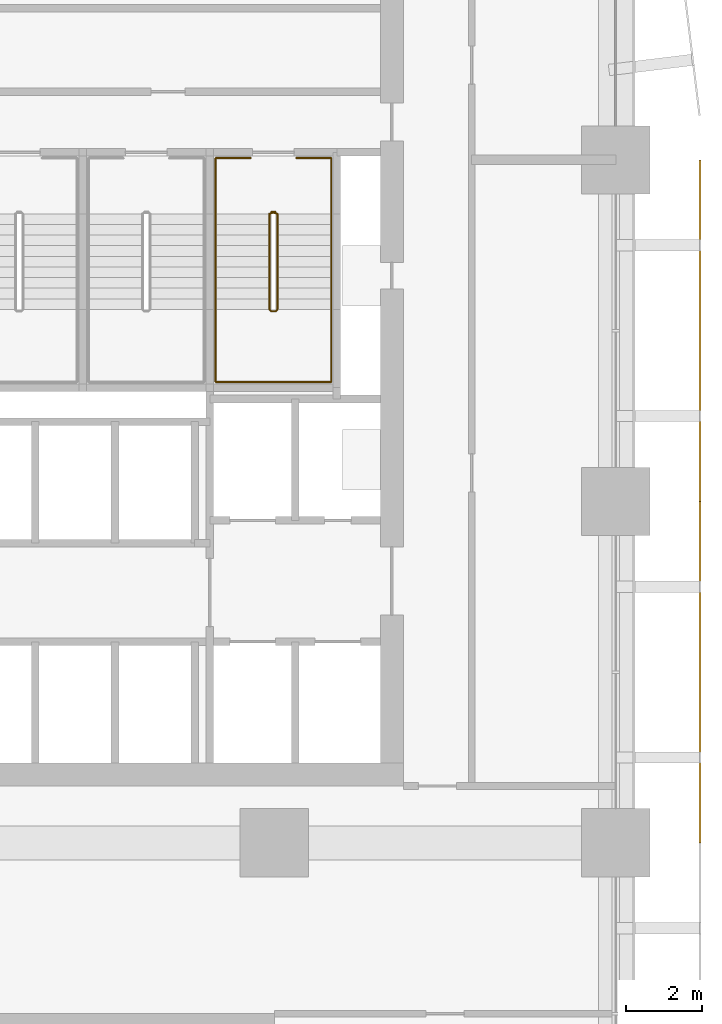
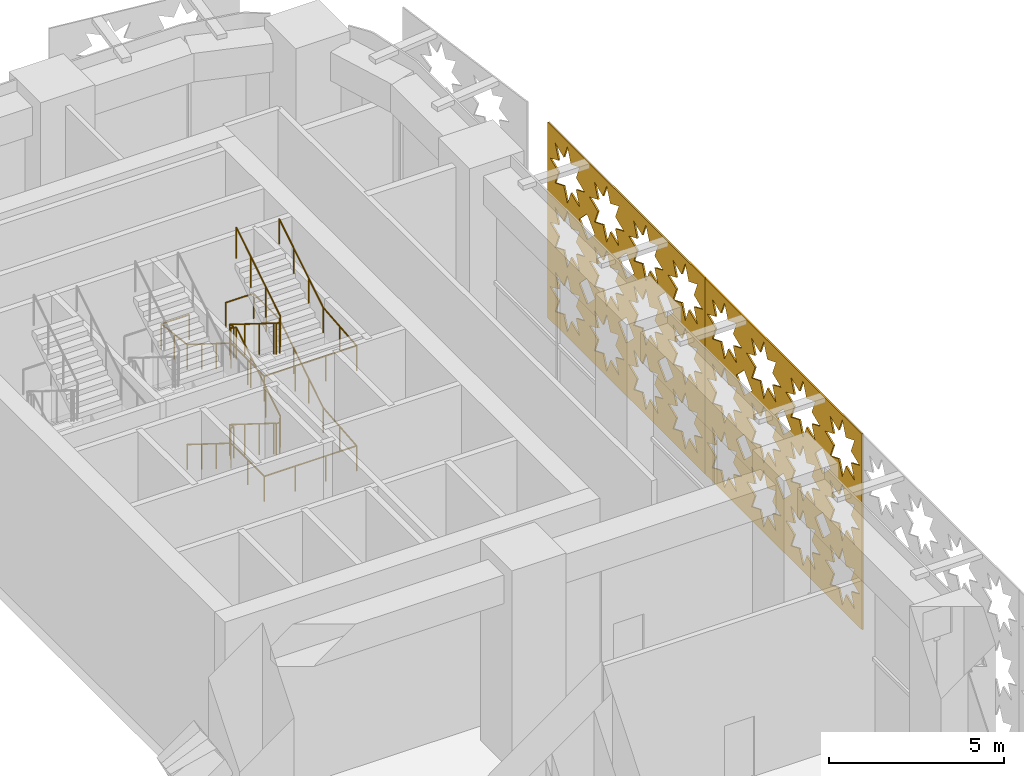
# One storey, part 41 of 42: 3 railings, 2 coverings.
"""IFC4 building model written with IfcOpenShell, lengths in metres."""

from ifc_helpers import new_model, si_unit, direction, frame, origin, origin_2d, place, context, subcontext, project, spatial, polyline, circle, outline, extrude, material, layer, layer_set, type_object, element, save


model = new_model("IFC4")

# Units and contexts
model_context = context("Model", 3, precision=1e-05, world=origin(), true_north=direction((0.0, 1.0)))
body_context = subcontext(model_context, "Body", "Model", "MODEL_VIEW")
ifc_project = project(units=[si_unit("LENGTHUNIT", "METRE"), si_unit("AREAUNIT", "SQUARE_METRE"), si_unit("VOLUMEUNIT", "CUBIC_METRE"), si_unit("PLANEANGLEUNIT", "RADIAN"), si_unit("MASSUNIT", "GRAM", prefix="KILO")], contexts=[model_context])

# Site, building, storey
site_placement = place(None, origin())
site = spatial("IfcSite", under=ifc_project, at=site_placement, CompositionType="ELEMENT")
building_placement = place(site_placement, origin())
building = spatial("IfcBuilding", under=site, at=building_placement, Name="Tessera Arch", CompositionType="ELEMENT")
storey_placement = place(building_placement, frame((0.0, 0.0, 14.0)))
storey = spatial("IfcBuildingStorey", under=building, at=storey_placement, Name="L02", CompositionType="ELEMENT", Elevation=14.0)

# Coverings
ifc_material_1 = material(Name="Anodised aluminium pale metal", Category="aluminium")
ifc_layer = layer(ifc_material_1, 0.050048828125)
ifc_layer_set = layer_set([ifc_layer], Name="Base lattice panel pale metal")
covering_type = type_object("IfcCoveringType", Name="Base lattice panel pale metal", PredefinedType="CLADDING", material=ifc_layer_set)
covering_1_placement = place(storey_placement, frame((56.199951171875, 27.0, 7.0), z_axis=(-1.0, 0.0, 0.0), x_axis=(0.0, 1.0, 0.0)))
element("IfcCovering", 1, at=covering_1_placement, inside=storey, type_object=covering_type, Name="Base lattice panel E54.0/2 L02", PredefinedType="CLADDING", context=body_context, shape_type="SweptSolid", body=[
    extrude(outline(polyline([(0.0, 0.0), (9.0, 0.0), (9.0, 6.840087890625), (0.0, 6.840087890625), (0.0, 0.0)]), holes=[polyline([(2.114990234375, 5.669921875), (1.6240234375, 5.462890625), (1.824951171875, 4.969970703125), (1.33203125, 5.1708984375), (1.125, 4.679931640625), (0.91796875, 5.1708984375), (0.425048828125, 4.969970703125), (0.6259765625, 5.462890625), (0.135009765625, 5.669921875), (0.6259765625, 5.876953125), (0.425048828125, 6.3701171875), (0.91796875, 6.1689453125), (1.125, 6.659912109375), (1.33203125, 6.1689453125), (1.824951171875, 6.3701171875), (1.6240234375, 5.876953125), (2.114990234375, 5.669921875)]), polyline([(2.114990234375, 3.419921875), (1.6240234375, 3.212890625), (1.824951171875, 2.719970703125), (1.33203125, 2.9208984375), (1.125, 2.429931640625), (0.91796875, 2.9208984375), (0.425048828125, 2.719970703125), (0.6259765625, 3.212890625), (0.135009765625, 3.419921875), (0.6259765625, 3.626953125), (0.425048828125, 4.1201171875), (0.91796875, 3.9189453125), (1.125, 4.409912109375), (1.33203125, 3.9189453125), (1.824951171875, 4.1201171875), (1.6240234375, 3.626953125), (2.114990234375, 3.419921875)]), polyline([(2.114990234375, 1.169921875), (1.6240234375, 0.962890625), (1.824951171875, 0.469970703125), (1.33203125, 0.6708984375), (1.125, 0.179931640625), (0.91796875, 0.6708984375), (0.425048828125, 0.469970703125), (0.6259765625, 0.962890625), (0.135009765625, 1.169921875), (0.6259765625, 1.376953125), (0.425048828125, 1.8701171875), (0.91796875, 1.6689453125), (1.125, 2.159912109375), (1.33203125, 1.6689453125), (1.824951171875, 1.8701171875), (1.6240234375, 1.376953125), (2.114990234375, 1.169921875)]), polyline([(4.364990234375, 5.669921875), (3.8740234375, 5.462890625), (4.074951171875, 4.969970703125), (3.58203125, 5.1708984375), (3.375, 4.679931640625), (3.16796875, 5.1708984375), (2.675048828125, 4.969970703125), (2.8759765625, 5.462890625), (2.385009765625, 5.669921875), (2.8759765625, 5.876953125), (2.675048828125, 6.3701171875), (3.16796875, 6.1689453125), (3.375, 6.659912109375), (3.58203125, 6.1689453125), (4.074951171875, 6.3701171875), (3.8740234375, 5.876953125), (4.364990234375, 5.669921875)]), polyline([(4.364990234375, 3.419921875), (3.8740234375, 3.212890625), (4.074951171875, 2.719970703125), (3.58203125, 2.9208984375), (3.375, 2.429931640625), (3.16796875, 2.9208984375), (2.675048828125, 2.719970703125), (2.8759765625, 3.212890625), (2.385009765625, 3.419921875), (2.8759765625, 3.626953125), (2.675048828125, 4.1201171875), (3.16796875, 3.9189453125), (3.375, 4.409912109375), (3.58203125, 3.9189453125), (4.074951171875, 4.1201171875), (3.8740234375, 3.626953125), (4.364990234375, 3.419921875)]), polyline([(4.364990234375, 1.169921875), (3.8740234375, 0.962890625), (4.074951171875, 0.469970703125), (3.58203125, 0.6708984375), (3.375, 0.179931640625), (3.16796875, 0.6708984375), (2.675048828125, 0.469970703125), (2.8759765625, 0.962890625), (2.385009765625, 1.169921875), (2.8759765625, 1.376953125), (2.675048828125, 1.8701171875), (3.16796875, 1.6689453125), (3.375, 2.159912109375), (3.58203125, 1.6689453125), (4.074951171875, 1.8701171875), (3.8740234375, 1.376953125), (4.364990234375, 1.169921875)]), polyline([(6.614990234375, 5.669921875), (6.1240234375, 5.462890625), (6.324951171875, 4.969970703125), (5.83203125, 5.1708984375), (5.625, 4.679931640625), (5.41796875, 5.1708984375), (4.925048828125, 4.969970703125), (5.1259765625, 5.462890625), (4.635009765625, 5.669921875), (5.1259765625, 5.876953125), (4.925048828125, 6.3701171875), (5.41796875, 6.1689453125), (5.625, 6.659912109375), (5.83203125, 6.1689453125), (6.324951171875, 6.3701171875), (6.1240234375, 5.876953125), (6.614990234375, 5.669921875)]), polyline([(6.614990234375, 3.419921875), (6.1240234375, 3.212890625), (6.324951171875, 2.719970703125), (5.83203125, 2.9208984375), (5.625, 2.429931640625), (5.41796875, 2.9208984375), (4.925048828125, 2.719970703125), (5.1259765625, 3.212890625), (4.635009765625, 3.419921875), (5.1259765625, 3.626953125), (4.925048828125, 4.1201171875), (5.41796875, 3.9189453125), (5.625, 4.409912109375), (5.83203125, 3.9189453125), (6.324951171875, 4.1201171875), (6.1240234375, 3.626953125), (6.614990234375, 3.419921875)]), polyline([(6.614990234375, 1.169921875), (6.1240234375, 0.962890625), (6.324951171875, 0.469970703125), (5.83203125, 0.6708984375), (5.625, 0.179931640625), (5.41796875, 0.6708984375), (4.925048828125, 0.469970703125), (5.1259765625, 0.962890625), (4.635009765625, 1.169921875), (5.1259765625, 1.376953125), (4.925048828125, 1.8701171875), (5.41796875, 1.6689453125), (5.625, 2.159912109375), (5.83203125, 1.6689453125), (6.324951171875, 1.8701171875), (6.1240234375, 1.376953125), (6.614990234375, 1.169921875)]), polyline([(8.864990234375, 5.669921875), (8.3740234375, 5.462890625), (8.574951171875, 4.969970703125), (8.08203125, 5.1708984375), (7.875, 4.679931640625), (7.66796875, 5.1708984375), (7.175048828125, 4.969970703125), (7.3759765625, 5.462890625), (6.885009765625, 5.669921875), (7.3759765625, 5.876953125), (7.175048828125, 6.3701171875), (7.66796875, 6.1689453125), (7.875, 6.659912109375), (8.08203125, 6.1689453125), (8.574951171875, 6.3701171875), (8.3740234375, 5.876953125), (8.864990234375, 5.669921875)]), polyline([(8.864990234375, 3.419921875), (8.3740234375, 3.212890625), (8.574951171875, 2.719970703125), (8.08203125, 2.9208984375), (7.875, 2.429931640625), (7.66796875, 2.9208984375), (7.175048828125, 2.719970703125), (7.3759765625, 3.212890625), (6.885009765625, 3.419921875), (7.3759765625, 3.626953125), (7.175048828125, 4.1201171875), (7.66796875, 3.9189453125), (7.875, 4.409912109375), (8.08203125, 3.9189453125), (8.574951171875, 4.1201171875), (8.3740234375, 3.626953125), (8.864990234375, 3.419921875)]), polyline([(8.864990234375, 1.169921875), (8.3740234375, 0.962890625), (8.574951171875, 0.469970703125), (8.08203125, 0.6708984375), (7.875, 0.179931640625), (7.66796875, 0.6708984375), (7.175048828125, 0.469970703125), (7.3759765625, 0.962890625), (6.885009765625, 1.169921875), (7.3759765625, 1.376953125), (7.175048828125, 1.8701171875), (7.66796875, 1.6689453125), (7.875, 2.159912109375), (8.08203125, 1.6689453125), (8.574951171875, 1.8701171875), (8.3740234375, 1.376953125), (8.864990234375, 1.169921875)]), polyline([(2.699951171875, 4.544921875), (2.25, 4.094970703125), (1.800048828125, 4.544921875), (2.25, 4.9951171875), (2.699951171875, 4.544921875)]), polyline([(2.699951171875, 2.294921875), (2.25, 1.844970703125), (1.800048828125, 2.294921875), (2.25, 2.7451171875), (2.699951171875, 2.294921875)]), polyline([(4.949951171875, 4.544921875), (4.5, 4.094970703125), (4.050048828125, 4.544921875), (4.5, 4.9951171875), (4.949951171875, 4.544921875)]), polyline([(4.949951171875, 2.294921875), (4.5, 1.844970703125), (4.050048828125, 2.294921875), (4.5, 2.7451171875), (4.949951171875, 2.294921875)]), polyline([(7.199951171875, 4.544921875), (6.75, 4.094970703125), (6.300048828125, 4.544921875), (6.75, 4.9951171875), (7.199951171875, 4.544921875)]), polyline([(7.199951171875, 2.294921875), (6.75, 1.844970703125), (6.300048828125, 2.294921875), (6.75, 2.7451171875), (7.199951171875, 2.294921875)])]), origin(), (0.0, 0.0, -1.0), 0.050048828125),
])
covering_2_placement = place(storey_placement, frame((56.199951171875, 36.0, 7.0), z_axis=(-1.0, 0.0, 0.0), x_axis=(0.0, 1.0, 0.0)))
element("IfcCovering", 2, at=covering_2_placement, inside=storey, type_object=covering_type, Name="Base lattice panel E54.0/3 L02", PredefinedType="CLADDING", context=body_context, shape_type="SweptSolid", body=[
    extrude(outline(polyline([(0.0, 0.0), (9.0, 0.0), (9.0, 6.840087890625), (0.0, 6.840087890625), (0.0, 0.0)]), holes=[polyline([(2.114990234375, 5.669921875), (1.6240234375, 5.462890625), (1.824951171875, 4.969970703125), (1.33203125, 5.1708984375), (1.125, 4.679931640625), (0.91796875, 5.1708984375), (0.425048828125, 4.969970703125), (0.6259765625, 5.462890625), (0.135009765625, 5.669921875), (0.6259765625, 5.876953125), (0.425048828125, 6.3701171875), (0.91796875, 6.1689453125), (1.125, 6.659912109375), (1.33203125, 6.1689453125), (1.824951171875, 6.3701171875), (1.6240234375, 5.876953125), (2.114990234375, 5.669921875)]), polyline([(2.114990234375, 3.419921875), (1.6240234375, 3.212890625), (1.824951171875, 2.719970703125), (1.33203125, 2.9208984375), (1.125, 2.429931640625), (0.91796875, 2.9208984375), (0.425048828125, 2.719970703125), (0.6259765625, 3.212890625), (0.135009765625, 3.419921875), (0.6259765625, 3.626953125), (0.425048828125, 4.1201171875), (0.91796875, 3.9189453125), (1.125, 4.409912109375), (1.33203125, 3.9189453125), (1.824951171875, 4.1201171875), (1.6240234375, 3.626953125), (2.114990234375, 3.419921875)]), polyline([(2.114990234375, 1.169921875), (1.6240234375, 0.962890625), (1.824951171875, 0.469970703125), (1.33203125, 0.6708984375), (1.125, 0.179931640625), (0.91796875, 0.6708984375), (0.425048828125, 0.469970703125), (0.6259765625, 0.962890625), (0.135009765625, 1.169921875), (0.6259765625, 1.376953125), (0.425048828125, 1.8701171875), (0.91796875, 1.6689453125), (1.125, 2.159912109375), (1.33203125, 1.6689453125), (1.824951171875, 1.8701171875), (1.6240234375, 1.376953125), (2.114990234375, 1.169921875)]), polyline([(4.364990234375, 5.669921875), (3.8740234375, 5.462890625), (4.074951171875, 4.969970703125), (3.58203125, 5.1708984375), (3.375, 4.679931640625), (3.16796875, 5.1708984375), (2.675048828125, 4.969970703125), (2.8759765625, 5.462890625), (2.385009765625, 5.669921875), (2.8759765625, 5.876953125), (2.675048828125, 6.3701171875), (3.16796875, 6.1689453125), (3.375, 6.659912109375), (3.58203125, 6.1689453125), (4.074951171875, 6.3701171875), (3.8740234375, 5.876953125), (4.364990234375, 5.669921875)]), polyline([(4.364990234375, 3.419921875), (3.8740234375, 3.212890625), (4.074951171875, 2.719970703125), (3.58203125, 2.9208984375), (3.375, 2.429931640625), (3.16796875, 2.9208984375), (2.675048828125, 2.719970703125), (2.8759765625, 3.212890625), (2.385009765625, 3.419921875), (2.8759765625, 3.626953125), (2.675048828125, 4.1201171875), (3.16796875, 3.9189453125), (3.375, 4.409912109375), (3.58203125, 3.9189453125), (4.074951171875, 4.1201171875), (3.8740234375, 3.626953125), (4.364990234375, 3.419921875)]), polyline([(4.364990234375, 1.169921875), (3.8740234375, 0.962890625), (4.074951171875, 0.469970703125), (3.58203125, 0.6708984375), (3.375, 0.179931640625), (3.16796875, 0.6708984375), (2.675048828125, 0.469970703125), (2.8759765625, 0.962890625), (2.385009765625, 1.169921875), (2.8759765625, 1.376953125), (2.675048828125, 1.8701171875), (3.16796875, 1.6689453125), (3.375, 2.159912109375), (3.58203125, 1.6689453125), (4.074951171875, 1.8701171875), (3.8740234375, 1.376953125), (4.364990234375, 1.169921875)]), polyline([(6.614990234375, 5.669921875), (6.1240234375, 5.462890625), (6.324951171875, 4.969970703125), (5.83203125, 5.1708984375), (5.625, 4.679931640625), (5.41796875, 5.1708984375), (4.925048828125, 4.969970703125), (5.1259765625, 5.462890625), (4.635009765625, 5.669921875), (5.1259765625, 5.876953125), (4.925048828125, 6.3701171875), (5.41796875, 6.1689453125), (5.625, 6.659912109375), (5.83203125, 6.1689453125), (6.324951171875, 6.3701171875), (6.1240234375, 5.876953125), (6.614990234375, 5.669921875)]), polyline([(6.614990234375, 3.419921875), (6.1240234375, 3.212890625), (6.324951171875, 2.719970703125), (5.83203125, 2.9208984375), (5.625, 2.429931640625), (5.41796875, 2.9208984375), (4.925048828125, 2.719970703125), (5.1259765625, 3.212890625), (4.635009765625, 3.419921875), (5.1259765625, 3.626953125), (4.925048828125, 4.1201171875), (5.41796875, 3.9189453125), (5.625, 4.409912109375), (5.83203125, 3.9189453125), (6.324951171875, 4.1201171875), (6.1240234375, 3.626953125), (6.614990234375, 3.419921875)]), polyline([(6.614990234375, 1.169921875), (6.1240234375, 0.962890625), (6.324951171875, 0.469970703125), (5.83203125, 0.6708984375), (5.625, 0.179931640625), (5.41796875, 0.6708984375), (4.925048828125, 0.469970703125), (5.1259765625, 0.962890625), (4.635009765625, 1.169921875), (5.1259765625, 1.376953125), (4.925048828125, 1.8701171875), (5.41796875, 1.6689453125), (5.625, 2.159912109375), (5.83203125, 1.6689453125), (6.324951171875, 1.8701171875), (6.1240234375, 1.376953125), (6.614990234375, 1.169921875)]), polyline([(8.864990234375, 5.669921875), (8.3740234375, 5.462890625), (8.574951171875, 4.969970703125), (8.08203125, 5.1708984375), (7.875, 4.679931640625), (7.66796875, 5.1708984375), (7.175048828125, 4.969970703125), (7.3759765625, 5.462890625), (6.885009765625, 5.669921875), (7.3759765625, 5.876953125), (7.175048828125, 6.3701171875), (7.66796875, 6.1689453125), (7.875, 6.659912109375), (8.08203125, 6.1689453125), (8.574951171875, 6.3701171875), (8.3740234375, 5.876953125), (8.864990234375, 5.669921875)]), polyline([(8.864990234375, 3.419921875), (8.3740234375, 3.212890625), (8.574951171875, 2.719970703125), (8.08203125, 2.9208984375), (7.875, 2.429931640625), (7.66796875, 2.9208984375), (7.175048828125, 2.719970703125), (7.3759765625, 3.212890625), (6.885009765625, 3.419921875), (7.3759765625, 3.626953125), (7.175048828125, 4.1201171875), (7.66796875, 3.9189453125), (7.875, 4.409912109375), (8.08203125, 3.9189453125), (8.574951171875, 4.1201171875), (8.3740234375, 3.626953125), (8.864990234375, 3.419921875)]), polyline([(8.864990234375, 1.169921875), (8.3740234375, 0.962890625), (8.574951171875, 0.469970703125), (8.08203125, 0.6708984375), (7.875, 0.179931640625), (7.66796875, 0.6708984375), (7.175048828125, 0.469970703125), (7.3759765625, 0.962890625), (6.885009765625, 1.169921875), (7.3759765625, 1.376953125), (7.175048828125, 1.8701171875), (7.66796875, 1.6689453125), (7.875, 2.159912109375), (8.08203125, 1.6689453125), (8.574951171875, 1.8701171875), (8.3740234375, 1.376953125), (8.864990234375, 1.169921875)]), polyline([(2.699951171875, 4.544921875), (2.25, 4.094970703125), (1.800048828125, 4.544921875), (2.25, 4.9951171875), (2.699951171875, 4.544921875)]), polyline([(2.699951171875, 2.294921875), (2.25, 1.844970703125), (1.800048828125, 2.294921875), (2.25, 2.7451171875), (2.699951171875, 2.294921875)]), polyline([(4.949951171875, 4.544921875), (4.5, 4.094970703125), (4.050048828125, 4.544921875), (4.5, 4.9951171875), (4.949951171875, 4.544921875)]), polyline([(4.949951171875, 2.294921875), (4.5, 1.844970703125), (4.050048828125, 2.294921875), (4.5, 2.7451171875), (4.949951171875, 2.294921875)]), polyline([(7.199951171875, 4.544921875), (6.75, 4.094970703125), (6.300048828125, 4.544921875), (6.75, 4.9951171875), (7.199951171875, 4.544921875)]), polyline([(7.199951171875, 2.294921875), (6.75, 1.844970703125), (6.300048828125, 2.294921875), (6.75, 2.7451171875), (7.199951171875, 2.294921875)])]), origin(), (0.0, 0.0, -1.0), 0.050048828125),
])

# Railings
ifc_material_2 = material(Name="Painted steel balustrade", Category="steel")
railing_type_1 = type_object("IfcRailingType", Name="Stair guard 1100", PredefinedType="GUARDRAIL", material=ifc_material_2)
railing_1_placement = place(storey_placement, frame((44.919921875, 43.6298828125, 0.0)))
element("IfcRailing", 3, at=railing_1_placement, inside=storey, type_object=railing_type_1, Name="L02 S1c stair guard 1", PredefinedType="GUARDRAIL", context=body_context, shape_type="SweptSolid", body=[
    extrude(circle(Radius=0.02392578125, at=origin_2d()), frame((-0.00390625, 0.0, 1.076171875), z_axis=(1.0, 0.0, 0.0), x_axis=(0.0, 1.0, 0.0)), (0.0, 0.0, 1.0), 0.1181640625),
    extrude(circle(Radius=0.02392578125, at=origin_2d()), frame((0.11279296875, 0.000732421875, 1.0732421875), z_axis=(-0.660058936767, -0.205575607787, 0.722537797957), x_axis=(0.297361876254, -0.954764847777, 0.0)), (0.0, 0.0, 1.0), 0.250244140625),
    extrude(circle(Radius=0.02392578125, at=origin_2d()), frame((-0.0498046875, -0.04638671875, 1.2490234375), z_axis=(0.0, -0.848007534815, 0.529984170421), x_axis=(1.0, 0.0, 0.0)), (0.0, 0.0, 1.0), 2.979736328125),
    extrude(circle(Radius=0.02392578125, at=origin_2d()), frame((-0.052734375, -2.56689453125, 2.826171875), z_axis=(0.705375805398, -0.708833529934, 0.0), x_axis=(0.708833529934, 0.705375805398, 0.0)), (0.0, 0.0, 1.0), 0.07861328125),
    extrude(circle(Radius=0.02392578125, at=origin_2d()), frame((-0.00390625, -2.619873046875, 2.826171875), z_axis=(1.0, 0.0, 0.0), x_axis=(0.0, 1.0, 0.0)), (0.0, 0.0, 1.0), 0.1181640625),
    extrude(circle(Radius=0.02392578125, at=origin_2d()), frame((0.109130859375, -2.620849609375, 2.822265625), z_axis=(0.265065253269, 0.265065253269, 0.927081885822), x_axis=(-0.707106781187, 0.707106781187, 0.0)), (0.0, 0.0, 1.0), 0.19677734375),
    extrude(circle(Radius=0.02392578125, at=origin_2d()), frame((0.16015625, -2.5732421875, 2.9990234375), z_axis=(0.0, 0.848007534815, 0.529984170421), x_axis=(-1.0, 0.0, 0.0)), (0.0, 0.0, 1.0), 2.979736328125),
    extrude(circle(Radius=0.02392578125, at=origin_2d()), frame((0.1640625, -0.051025390625, 4.576171875), z_axis=(-0.954893471113, 0.296948579431, 0.0), x_axis=(-0.296948579431, -0.954893471113, 0.0)), (0.0, 0.0, 1.0), 0.17578125),
    extrude(circle(Radius=0.02392578125, at=origin_2d()), frame((-0.00390625, 0.0, 4.576171875), z_axis=(1.0, 0.0, 0.0), x_axis=(0.0, 1.0, 0.0)), (0.0, 0.0, 1.0), 0.1181640625),
    extrude(circle(Radius=0.02392578125, at=origin_2d()), frame((0.11279296875, 0.000732421875, 4.5732421875), z_axis=(-0.660058936767, -0.205575607787, 0.722537797957), x_axis=(0.297361876254, -0.954764847777, 0.0)), (0.0, 0.0, 1.0), 0.250244140625),
    extrude(circle(Radius=0.02392578125, at=origin_2d()), frame((-0.0498046875, -0.04638671875, 4.7490234375), z_axis=(0.0, -0.848007534815, 0.529984170421), x_axis=(1.0, 0.0, 0.0)), (0.0, 0.0, 1.0), 2.979736328125),
    extrude(circle(Radius=0.02392578125, at=origin_2d()), frame((-0.052734375, -2.56689453125, 6.326171875), z_axis=(0.705375805398, -0.708833529934, 0.0), x_axis=(0.708833529934, 0.705375805398, 0.0)), (0.0, 0.0, 1.0), 0.07861328125),
    extrude(circle(Radius=0.02392578125, at=origin_2d()), frame((-0.00390625, -2.619873046875, 6.326171875), z_axis=(1.0, 0.0, 0.0), x_axis=(0.0, 1.0, 0.0)), (0.0, 0.0, 1.0), 0.1181640625),
    extrude(circle(Radius=0.02392578125, at=origin_2d()), frame((0.109130859375, -2.620849609375, 6.322265625), z_axis=(0.265065253269, 0.265065253269, 0.927081885822), x_axis=(-0.707106781187, 0.707106781187, 0.0)), (0.0, 0.0, 1.0), 0.19677734375),
    extrude(circle(Radius=0.02392578125, at=origin_2d()), frame((0.16015625, -2.5732421875, 6.4990234375), z_axis=(0.0, 0.848007534815, 0.529984170421), x_axis=(-1.0, 0.0, 0.0)), (0.0, 0.0, 1.0), 2.979736328125),
    extrude(circle(Radius=0.02099609375, at=origin_2d()), origin(), (0.0, 0.0, 1.0), 1.06396484375),
    extrude(circle(Radius=0.02099609375, at=origin_2d()), frame((0.110107421875, 0.0, 0.0)), (0.0, 0.0, 1.0), 1.06396484375),
    extrude(circle(Radius=0.02099609375, at=origin_2d()), frame((-0.0498046875, -0.0498046875, 0.175048828125)), (0.0, 0.0, 1.0), 1.06396484375),
    extrude(circle(Radius=0.02099609375, at=origin_2d()), frame((-0.0498046875, -0.889892578125, 0.699951171875)), (0.0, 0.0, 1.0), 1.06396484375),
    extrude(circle(Radius=0.02099609375, at=origin_2d()), frame((-0.0498046875, -1.729736328125, 1.22509765625)), (0.0, 0.0, 1.0), 1.06396484375),
    extrude(circle(Radius=0.02099609375, at=origin_2d()), frame((-0.0498046875, -2.56982421875, 1.75)), (0.0, 0.0, 1.0), 1.06396484375),
    extrude(circle(Radius=0.02099609375, at=origin_2d()), frame((0.0, -2.619873046875, 1.75)), (0.0, 0.0, 1.0), 1.06396484375),
    extrude(circle(Radius=0.02099609375, at=origin_2d()), frame((0.110107421875, -2.619873046875, 1.75)), (0.0, 0.0, 1.0), 1.06396484375),
    extrude(circle(Radius=0.02099609375, at=origin_2d()), frame((0.16015625, -2.56982421875, 1.925048828125)), (0.0, 0.0, 1.0), 1.06396484375),
    extrude(circle(Radius=0.02099609375, at=origin_2d()), frame((0.16015625, -1.729736328125, 2.449951171875)), (0.0, 0.0, 1.0), 1.06396484375),
    extrude(circle(Radius=0.02099609375, at=origin_2d()), frame((0.16015625, -0.889892578125, 2.97509765625)), (0.0, 0.0, 1.0), 1.06396484375),
    extrude(circle(Radius=0.02099609375, at=origin_2d()), frame((0.16015625, -0.0498046875, 3.5)), (0.0, 0.0, 1.0), 1.06396484375),
    extrude(circle(Radius=0.02099609375, at=origin_2d()), frame((0.0, 0.0, 3.5)), (0.0, 0.0, 1.0), 1.06396484375),
    extrude(circle(Radius=0.02099609375, at=origin_2d()), frame((0.110107421875, 0.0, 3.5)), (0.0, 0.0, 1.0), 1.06396484375),
    extrude(circle(Radius=0.02099609375, at=origin_2d()), frame((-0.0498046875, -0.0498046875, 3.675048828125)), (0.0, 0.0, 1.0), 1.06396484375),
    extrude(circle(Radius=0.02099609375, at=origin_2d()), frame((-0.0498046875, -0.889892578125, 4.199951171875)), (0.0, 0.0, 1.0), 1.06396484375),
    extrude(circle(Radius=0.02099609375, at=origin_2d()), frame((-0.0498046875, -1.729736328125, 4.72509765625)), (0.0, 0.0, 1.0), 1.06396484375),
    extrude(circle(Radius=0.02099609375, at=origin_2d()), frame((-0.0498046875, -2.56982421875, 5.25)), (0.0, 0.0, 1.0), 1.06396484375),
    extrude(circle(Radius=0.02099609375, at=origin_2d()), frame((0.0, -2.619873046875, 5.25)), (0.0, 0.0, 1.0), 1.06396484375),
    extrude(circle(Radius=0.02099609375, at=origin_2d()), frame((0.110107421875, -2.619873046875, 5.25)), (0.0, 0.0, 1.0), 1.06396484375),
    extrude(circle(Radius=0.02099609375, at=origin_2d()), frame((0.16015625, -2.56982421875, 5.425048828125)), (0.0, 0.0, 1.0), 1.06396484375),
    extrude(circle(Radius=0.02099609375, at=origin_2d()), frame((0.16015625, -1.729736328125, 5.949951171875)), (0.0, 0.0, 1.0), 1.06396484375),
    extrude(circle(Radius=0.02099609375, at=origin_2d()), frame((0.16015625, -0.889892578125, 6.47509765625)), (0.0, 0.0, 1.0), 1.06396484375),
    extrude(circle(Radius=0.02099609375, at=origin_2d()), frame((0.16015625, -0.0498046875, 7.0)), (0.0, 0.0, 1.0), 1.06396484375),
])
ifc_material_3 = material(Name="Painted steel handrail", Category="steel")
railing_type_2 = type_object("IfcRailingType", Name="Stair handrail 900", PredefinedType="HANDRAIL", material=ifc_material_3)
railing_2_placement = place(storey_placement, frame((43.449951171875, 43.580078125, 0.175048828125)))
element("IfcRailing", 4, at=railing_2_placement, inside=storey, type_object=railing_type_2, Name="L02 S1c stair handrail", PredefinedType="HANDRAIL", context=body_context, shape_type="SweptSolid", body=[
    extrude(circle(Radius=0.02392578125, at=origin_2d()), frame((0.0, 0.00341796875, 0.873779296875), z_axis=(0.0, -0.848007534815, 0.529984170421), x_axis=(1.0, 0.0, 0.0)), (0.0, 0.0, 1.0), 2.979736328125),
    extrude(circle(Radius=0.02392578125, at=origin_2d()), frame((0.0, -2.51611328125, 2.45068359375), z_axis=(0.0, -1.0, 0.0), x_axis=(1.0, 0.0, 0.0)), (0.0, 0.0, 1.0), 1.918212890625),
    extrude(circle(Radius=0.02392578125, at=origin_2d()), frame((-0.00390625, -4.43017578125, 2.45068359375), z_axis=(1.0, 0.0, 0.0), x_axis=(0.0, 1.0, 0.0)), (0.0, 0.0, 1.0), 3.05810546875),
    extrude(circle(Radius=0.02392578125, at=origin_2d()), frame((3.050048828125, -4.43408203125, 2.450439453125), z_axis=(0.0, 0.995827218239, 0.091258705966), x_axis=(-1.0, 0.0, 0.0)), (0.0, 0.0, 1.0), 1.92626953125),
    extrude(circle(Radius=0.02392578125, at=origin_2d()), frame((3.050048828125, -2.5234375, 2.623779296875), z_axis=(0.0, 0.848007534815, 0.529984170421), x_axis=(-1.0, 0.0, 0.0)), (0.0, 0.0, 1.0), 2.979736328125),
    extrude(circle(Radius=0.02392578125, at=origin_2d()), frame((3.050048828125, -0.00390625, 4.20068359375), z_axis=(0.0, 1.0, 0.0), x_axis=(-1.0, 0.0, 0.0)), (0.0, 0.0, 1.0), 1.47802734375),
    extrude(circle(Radius=0.02392578125, at=origin_2d()), frame((3.053955078125, 1.469970703125, 4.20068359375), z_axis=(-1.0, 0.0, 0.0), x_axis=(0.0, -1.0, 0.0)), (0.0, 0.0, 1.0), 0.93310546875),
    extrude(circle(Radius=0.02099609375, at=origin_2d()), origin(), (0.0, 0.0, 1.0), 0.86376953125),
    extrude(circle(Radius=0.02099609375, at=origin_2d()), frame((0.0, -0.840087890625, 0.52490234375)), (0.0, 0.0, 1.0), 0.86376953125),
    extrude(circle(Radius=0.02099609375, at=origin_2d()), frame((0.0, -1.679931640625, 1.050048828125)), (0.0, 0.0, 1.0), 0.86376953125),
    extrude(circle(Radius=0.02099609375, at=origin_2d()), frame((0.0, -2.52001953125, 1.574951171875)), (0.0, 0.0, 1.0), 0.86376953125),
    extrude(circle(Radius=0.02099609375, at=origin_2d()), frame((0.0, -3.47509765625, 1.574951171875)), (0.0, 0.0, 1.0), 0.86376953125),
    extrude(circle(Radius=0.02099609375, at=origin_2d()), frame((0.0, -4.43017578125, 1.574951171875)), (0.0, 0.0, 1.0), 0.86376953125),
    extrude(circle(Radius=0.02099609375, at=origin_2d()), frame((1.0166015625, -4.43017578125, 1.574951171875)), (0.0, 0.0, 1.0), 0.86376953125),
    extrude(circle(Radius=0.02099609375, at=origin_2d()), frame((2.033447265625, -4.43017578125, 1.574951171875)), (0.0, 0.0, 1.0), 0.86376953125),
    extrude(circle(Radius=0.02099609375, at=origin_2d()), frame((3.050048828125, -4.43017578125, 1.574951171875)), (0.0, 0.0, 1.0), 0.86376953125),
    extrude(circle(Radius=0.02099609375, at=origin_2d()), frame((3.050048828125, -3.47509765625, 1.66259765625)), (0.0, 0.0, 1.0), 0.86376953125),
    extrude(circle(Radius=0.02099609375, at=origin_2d()), frame((3.050048828125, -2.52001953125, 1.75)), (0.0, 0.0, 1.0), 0.86376953125),
    extrude(circle(Radius=0.02099609375, at=origin_2d()), frame((3.050048828125, -1.679931640625, 2.27490234375)), (0.0, 0.0, 1.0), 0.86376953125),
    extrude(circle(Radius=0.02099609375, at=origin_2d()), frame((3.050048828125, -0.840087890625, 2.800048828125)), (0.0, 0.0, 1.0), 0.86376953125),
    extrude(circle(Radius=0.02099609375, at=origin_2d()), frame((3.050048828125, 0.0, 3.324951171875)), (0.0, 0.0, 1.0), 0.86376953125),
    extrude(circle(Radius=0.02099609375, at=origin_2d()), frame((3.050048828125, 0.73486328125, 3.324951171875)), (0.0, 0.0, 1.0), 0.86376953125),
    extrude(circle(Radius=0.02099609375, at=origin_2d()), frame((3.050048828125, 1.469970703125, 3.324951171875)), (0.0, 0.0, 1.0), 0.86376953125),
    extrude(circle(Radius=0.02099609375, at=origin_2d()), frame((2.125, 1.469970703125, 3.324951171875)), (0.0, 0.0, 1.0), 0.86376953125),
])
railing_3_placement = place(storey_placement, frame((44.375, 45.050048828125, 3.5)))
element("IfcRailing", 5, at=railing_3_placement, inside=storey, type_object=railing_type_2, Name="L02 S1c stair handrail 2", PredefinedType="HANDRAIL", context=body_context, shape_type="SweptSolid", body=[
    extrude(circle(Radius=0.02392578125, at=origin_2d()), frame((0.00390625, 0.0, 0.8759765625), z_axis=(-1.0, 0.0, 0.0), x_axis=(0.0, -1.0, 0.0)), (0.0, 0.0, 1.0), 0.93310546875),
    extrude(circle(Radius=0.02392578125, at=origin_2d()), frame((-0.925048828125, 0.00390625, 0.87548828125), z_axis=(0.0, -0.992984125229, 0.118247735889), x_axis=(1.0, 0.0, 0.0)), (0.0, 0.0, 1.0), 1.48828125),
    extrude(circle(Radius=0.02392578125, at=origin_2d()), frame((-0.925048828125, -1.466552734375, 1.048828125), z_axis=(0.0, -0.848007534815, 0.529984170421), x_axis=(1.0, 0.0, 0.0)), (0.0, 0.0, 1.0), 2.979736328125),
    extrude(circle(Radius=0.02392578125, at=origin_2d()), frame((-0.925048828125, -3.986083984375, 2.6259765625), z_axis=(0.0, -1.0, 0.0), x_axis=(1.0, 0.0, 0.0)), (0.0, 0.0, 1.0), 1.918212890625),
    extrude(circle(Radius=0.02392578125, at=origin_2d()), frame((-0.928955078125, -5.900146484375, 2.6259765625), z_axis=(1.0, 0.0, 0.0), x_axis=(0.0, 1.0, 0.0)), (0.0, 0.0, 1.0), 3.05810546875),
    extrude(circle(Radius=0.02392578125, at=origin_2d()), frame((2.125, -5.904052734375, 2.62548828125), z_axis=(0.0, 0.995827218239, 0.091258705966), x_axis=(-1.0, 0.0, 0.0)), (0.0, 0.0, 1.0), 1.92626953125),
    extrude(circle(Radius=0.02392578125, at=origin_2d()), frame((2.125, -3.993408203125, 2.798828125), z_axis=(0.0, 0.848007534815, 0.529984170421), x_axis=(-1.0, 0.0, 0.0)), (0.0, 0.0, 1.0), 2.979736328125),
    extrude(circle(Radius=0.02099609375, at=origin_2d()), origin(), (0.0, 0.0, 1.0), 0.86376953125),
    extrude(circle(Radius=0.02099609375, at=origin_2d()), frame((-0.925048828125, 0.0, 0.0)), (0.0, 0.0, 1.0), 0.86376953125),
    extrude(circle(Radius=0.02099609375, at=origin_2d()), frame((-0.925048828125, -0.73486328125, 0.08740234375)), (0.0, 0.0, 1.0), 0.86376953125),
    extrude(circle(Radius=0.02099609375, at=origin_2d()), frame((-0.925048828125, -1.469970703125, 0.175048828125)), (0.0, 0.0, 1.0), 0.86376953125),
    extrude(circle(Radius=0.02099609375, at=origin_2d()), frame((-0.925048828125, -2.31005859375, 0.699951171875)), (0.0, 0.0, 1.0), 0.86376953125),
    extrude(circle(Radius=0.02099609375, at=origin_2d()), frame((-0.925048828125, -3.14990234375, 1.22509765625)), (0.0, 0.0, 1.0), 0.86376953125),
    extrude(circle(Radius=0.02099609375, at=origin_2d()), frame((-0.925048828125, -3.989990234375, 1.75)), (0.0, 0.0, 1.0), 0.86376953125),
    extrude(circle(Radius=0.02099609375, at=origin_2d()), frame((-0.925048828125, -4.945068359375, 1.75)), (0.0, 0.0, 1.0), 0.86376953125),
    extrude(circle(Radius=0.02099609375, at=origin_2d()), frame((-0.925048828125, -5.900146484375, 1.75)), (0.0, 0.0, 1.0), 0.86376953125),
    extrude(circle(Radius=0.02099609375, at=origin_2d()), frame((0.091552734375, -5.900146484375, 1.75)), (0.0, 0.0, 1.0), 0.86376953125),
    extrude(circle(Radius=0.02099609375, at=origin_2d()), frame((1.1083984375, -5.900146484375, 1.75)), (0.0, 0.0, 1.0), 0.86376953125),
    extrude(circle(Radius=0.02099609375, at=origin_2d()), frame((2.125, -5.900146484375, 1.75)), (0.0, 0.0, 1.0), 0.86376953125),
    extrude(circle(Radius=0.02099609375, at=origin_2d()), frame((2.125, -4.945068359375, 1.83740234375)), (0.0, 0.0, 1.0), 0.86376953125),
    extrude(circle(Radius=0.02099609375, at=origin_2d()), frame((2.125, -3.989990234375, 1.925048828125)), (0.0, 0.0, 1.0), 0.86376953125),
    extrude(circle(Radius=0.02099609375, at=origin_2d()), frame((2.125, -3.14990234375, 2.449951171875)), (0.0, 0.0, 1.0), 0.86376953125),
    extrude(circle(Radius=0.02099609375, at=origin_2d()), frame((2.125, -2.31005859375, 2.97509765625)), (0.0, 0.0, 1.0), 0.86376953125),
    extrude(circle(Radius=0.02099609375, at=origin_2d()), frame((2.125, -1.469970703125, 3.5)), (0.0, 0.0, 1.0), 0.86376953125),
])

save(model, "model.ifc")
